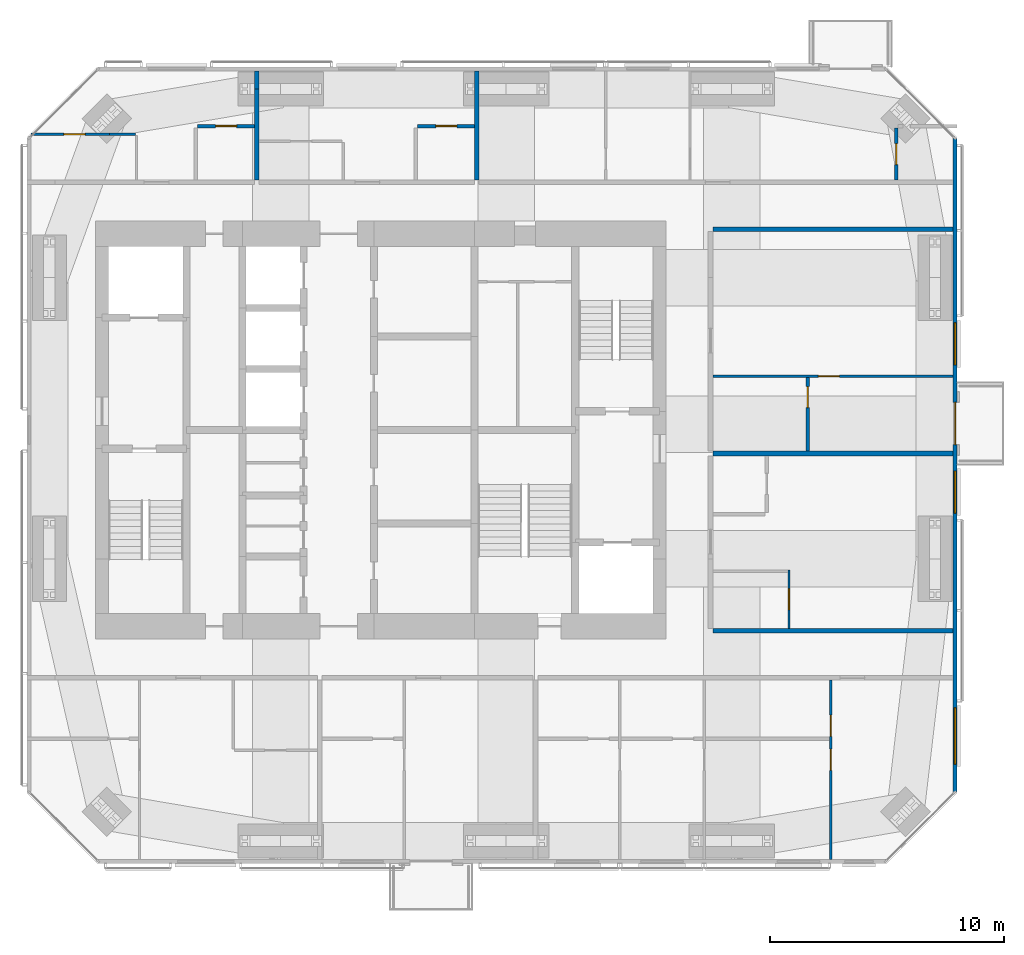
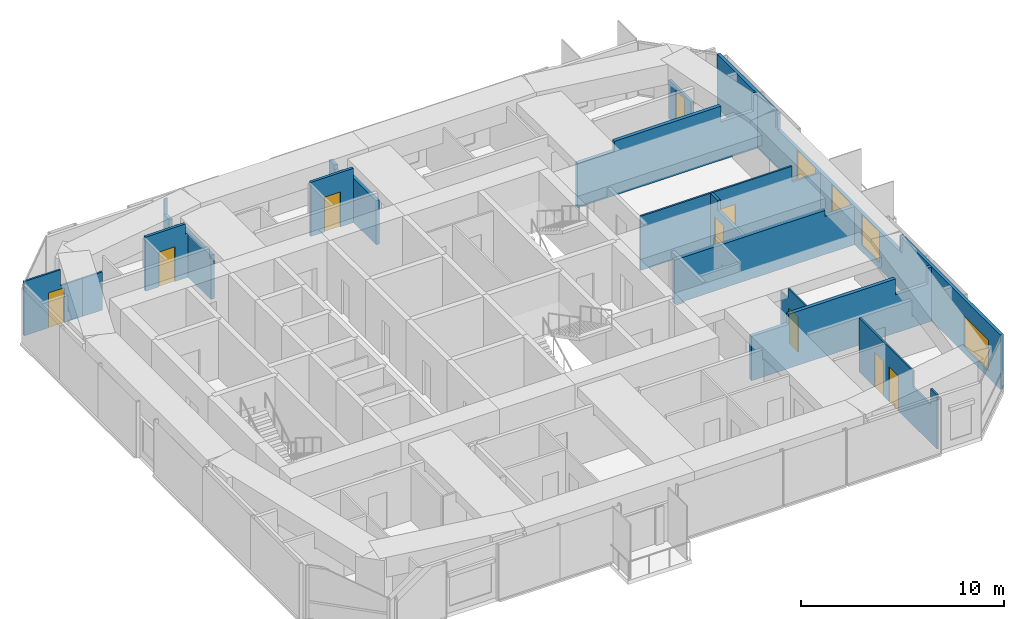
# One storey, part 16 of 18: 16 walls, 10 doors, 3 windows, 13 openings.
"""IFC4 building model written with IfcOpenShell, lengths in metres."""

from ifc_helpers import new_model, si_unit, direction, frame, frame_2d, origin, place, context, subcontext, project, spatial, polyline, rectangle, outline, extrude, material, constituent, constituent_set, type_object, element, fill, save


model = new_model("IFC4")

# Units and contexts
model_context = context("Model", 3, precision=1e-05, world=origin(), true_north=direction((0.0, 1.0)))
body_context = subcontext(model_context, "Body", "Model", "MODEL_VIEW")
ifc_project = project(units=[si_unit("LENGTHUNIT", "METRE"), si_unit("AREAUNIT", "SQUARE_METRE"), si_unit("VOLUMEUNIT", "CUBIC_METRE"), si_unit("PLANEANGLEUNIT", "RADIAN"), si_unit("MASSUNIT", "GRAM", prefix="KILO")], contexts=[model_context])

# Site, building, storey
site_placement = place(None, origin())
site = spatial("IfcSite", under=ifc_project, at=site_placement, CompositionType="ELEMENT")
building_placement = place(site_placement, origin())
building = spatial("IfcBuilding", under=site, at=building_placement, Name="Jalousie Tower", CompositionType="ELEMENT")
storey_placement = place(building_placement, frame((0.0, 0.0, 235.449951171875)))
storey = spatial("IfcBuildingStorey", under=building, at=storey_placement, Name="L64", CompositionType="ELEMENT", Elevation=235.449951171875)

# Wall, opening, door
ifc_material_1 = material(Name="Concrete block ASTM C90", Category="concrete")
ifc_constituent_1 = constituent(ifc_material_1, Name="Body")
ifc_material_2 = material(Name="Render")
ifc_constituent_2 = constituent(ifc_material_2, Name="Finish")
ifc_constituent_set_1 = constituent_set(constituents=[ifc_constituent_1, ifc_constituent_2])
wall_type_1 = type_object("IfcWallType", Name="BATHROOM WALL 150", PredefinedType="PLUMBINGWALL", material=ifc_constituent_set_1)
wall_1_placement = place(storey_placement, frame((24.074951171875, 31.47509765625, 0.0), z_axis=(0.0, 0.0, 1.0), x_axis=(1.0, 0.0, 0.0)))
wall_1 = element("IfcWall", 1, at=wall_1_placement, inside=storey, type_object=wall_type_1, Name="Bathroom Wall 150 L64", PredefinedType="PLUMBINGWALL", context=body_context, shape_type="SweptSolid", body=[
    extrude(outline(polyline([(0.0, 0.0), (2.425048828125, 0.0), (2.425048828125, 3.260009765625), (2.425048828125, 2.66015625), (2.264892578125, 2.66015625), (2.264892578125, 3.260009765625), (0.0, 3.260009765625), (0.0, 0.0)])), frame((0.0, 0.074951171875, 0.0), z_axis=(0.0, -1.0, 0.0), x_axis=(1.0, 0.0, 0.0)), (0.0, 0.0, 1.0), 0.14990234375),
])
opening_1_placement = place(wall_1_placement, frame((0.77490234375, 0.0, 0.0)))
opening_1 = element("IfcOpeningElement", 2, at=opening_1_placement, cuts=wall_1, Name="Opening D3", PredefinedType="OPENING", context=body_context, shape_type="SweptSolid", body=[
    extrude(rectangle(XDim=0.89990234375, YDim=2.10009765625, at=frame_2d((0.449951171875, 1.050048828125))), frame((0.0, 0.0849609375, 0.0), z_axis=(0.0, -1.0, 0.0), x_axis=(1.0, 0.0, 0.0)), (0.0, 0.0, 1.0), 0.169921875),
])
ifc_material_3 = material(Name="Timber door", Category="wood")
door_type_1 = type_object("IfcDoorType", Name="BATHROOM DOOR 900", OperationType="SINGLE_SWING_LEFT", PredefinedType="DOOR", material=ifc_material_3)
door_1_placement = place(opening_1_placement, frame((0.89990234375, 0.0, 0.0), z_axis=(0.0, 0.0, 1.0), x_axis=(-1.0, 0.0, 0.0)))
door_1 = element("IfcDoor", 3, at=door_1_placement, inside=storey, type_object=door_type_1, Name="Apartment 6404 bathroom door", OperationType="SINGLE_SWING_LEFT", OverallHeight=2.10009765625, OverallWidth=0.89990234375, PredefinedType="DOOR", context=body_context, shape_type="SweptSolid", body=[
    extrude(rectangle(XDim=0.89990234375, YDim=2.10009765625, at=frame_2d((0.449951171875, 1.050048828125))), frame((0.0, 0.02490234375, 0.0), z_axis=(0.0, -1.0, 0.0), x_axis=(1.0, 0.0, 0.0)), (0.0, 0.0, 1.0), 0.050048828125),
])
fill(opening_1, door_1)

wall_2_placement = place(storey_placement, frame((33.47509765625, 31.47509765625, 0.0), z_axis=(0.0, 0.0, 1.0), x_axis=(1.0, 0.0, 0.0)))
wall_2 = element("IfcWall", 4, at=wall_2_placement, inside=storey, type_object=wall_type_1, Name="Bathroom Wall 150 L64", PredefinedType="PLUMBINGWALL", context=body_context, shape_type="SweptSolid", body=[
    extrude(rectangle(XDim=2.4248046875, YDim=0.14990234375, at=frame_2d((1.21240234375, 0.0))), origin(), (0.0, 0.0, 1.0), 3.260009765625),
])
opening_2_placement = place(wall_2_placement, frame((0.77490234375, 0.0, 0.0)))
opening_2 = element("IfcOpeningElement", 5, at=opening_2_placement, cuts=wall_2, Name="Opening D3", PredefinedType="OPENING", context=body_context, shape_type="SweptSolid", body=[
    extrude(rectangle(XDim=0.89990234375, YDim=2.10009765625, at=frame_2d((0.449951171875, 1.050048828125))), frame((0.0, 0.0849609375, 0.0), z_axis=(0.0, -1.0, 0.0), x_axis=(1.0, 0.0, 0.0)), (0.0, 0.0, 1.0), 0.169921875),
])
door_2_placement = place(opening_2_placement, frame((0.89990234375, 0.0, 0.0), z_axis=(0.0, 0.0, 1.0), x_axis=(-1.0, 0.0, 0.0)))
door_2 = element("IfcDoor", 6, at=door_2_placement, inside=storey, type_object=door_type_1, Name="Apartment 6405 bathroom door", OperationType="SINGLE_SWING_LEFT", OverallHeight=2.10009765625, OverallWidth=0.89990234375, PredefinedType="DOOR", context=body_context, shape_type="SweptSolid", body=[
    extrude(rectangle(XDim=0.89990234375, YDim=2.10009765625, at=frame_2d((0.449951171875, 1.050048828125))), frame((0.0, 0.02490234375, 0.0), z_axis=(0.0, -1.0, 0.0), x_axis=(1.0, 0.0, 0.0)), (0.0, 0.0, 1.0), 0.050048828125),
])
fill(opening_2, door_2)

wall_3_placement = place(storey_placement, frame((53.89990234375, 31.39990234375, 0.0), z_axis=(0.0, 0.0, 1.0), x_axis=(0.0, -1.0, 0.0)))
wall_3 = element("IfcWall", 7, at=wall_3_placement, inside=storey, type_object=wall_type_1, Name="Bathroom Wall 150 L64", PredefinedType="PLUMBINGWALL", context=body_context, shape_type="SweptSolid", body=[
    extrude(outline(polyline([(0.0, 0.0), (2.224853515625, 0.0), (2.22509765625, 3.260009765625), (2.22509765625, 2.300048828125), (0.43798828125, 2.300048828125), (0.0, 2.300048828125), (0.0, 3.260009765625), (0.0, 0.0)])), frame((0.0, 0.074951171875, 0.0), z_axis=(0.0, -1.0, 0.0), x_axis=(1.0, 0.0, 0.0)), (0.0, 0.0, 1.0), 0.14990234375),
])
opening_3_placement = place(wall_3_placement, frame((0.675048828125, 0.0, 0.0)))
opening_3 = element("IfcOpeningElement", 8, at=opening_3_placement, cuts=wall_3, Name="Opening D3", PredefinedType="OPENING", context=body_context, shape_type="SweptSolid", body=[
    extrude(rectangle(XDim=0.89990234375, YDim=2.10009765625, at=frame_2d((0.449951171875, 1.050048828125))), frame((0.0, 0.0849609375, 0.0), z_axis=(0.0, -1.0, 0.0), x_axis=(1.0, 0.0, 0.0)), (0.0, 0.0, 1.0), 0.169921875),
])
door_3_placement = place(opening_3_placement, origin())
door_3 = element("IfcDoor", 9, at=door_3_placement, inside=storey, type_object=door_type_1, Name="Apartment 6406 bathroom door", OperationType="SINGLE_SWING_RIGHT", OverallHeight=2.10009765625, OverallWidth=0.89990234375, PredefinedType="DOOR", context=body_context, shape_type="SweptSolid", body=[
    extrude(rectangle(XDim=0.89990234375, YDim=2.10009765625, at=frame_2d((0.449951171875, 1.050048828125))), frame((0.0, 0.02490234375, 0.0), z_axis=(0.0, -1.0, 0.0), x_axis=(1.0, 0.0, 0.0)), (0.0, 0.0, 1.0), 0.050048828125),
])
fill(opening_3, door_3)

wall_4_placement = place(storey_placement, frame((50.125, 17.60009765625, 0.0), z_axis=(0.0, 0.0, 1.0), x_axis=(0.0, 1.0, 0.0)))
wall_4 = element("IfcWall", 10, at=wall_4_placement, inside=storey, type_object=wall_type_1, Name="Bathroom Wall 150 L64", PredefinedType="PLUMBINGWALL", context=body_context, shape_type="SweptSolid", body=[
    extrude(outline(polyline([(0.0, 0.0), (3.14990234375, 0.0), (3.14990234375, 3.260009765625), (2.43505859375, 3.260009765625), (2.43505859375, 2.66015625), (0.0, 2.66015625), (0.0, 3.260009765625), (0.0, 0.0)])), frame((0.0, 0.074951171875, 0.0), z_axis=(0.0, -1.0, 0.0), x_axis=(1.0, 0.0, 0.0)), (0.0, 0.0, 1.0), 0.14990234375),
])
opening_4_placement = place(wall_4_placement, frame((1.85009765625, 0.0, 0.0)))
opening_4 = element("IfcOpeningElement", 11, at=opening_4_placement, cuts=wall_4, Name="Opening D3", PredefinedType="OPENING", context=body_context, shape_type="SweptSolid", body=[
    extrude(rectangle(XDim=0.89990234375, YDim=2.10009765625, at=frame_2d((0.449951171875, 1.050048828125))), frame((0.0, 0.0849609375, 0.0), z_axis=(0.0, -1.0, 0.0), x_axis=(1.0, 0.0, 0.0)), (0.0, 0.0, 1.0), 0.169921875),
])
door_4_placement = place(opening_4_placement, origin())
door_4 = element("IfcDoor", 12, at=door_4_placement, inside=storey, type_object=door_type_1, Name="Apartment 6408 bedroom 1 bathroom door", OperationType="SINGLE_SWING_RIGHT", OverallHeight=2.10009765625, OverallWidth=0.89990234375, PredefinedType="DOOR", context=body_context, shape_type="SweptSolid", body=[
    extrude(rectangle(XDim=0.89990234375, YDim=2.10009765625, at=frame_2d((0.449951171875, 1.050048828125))), frame((0.0, 0.02490234375, 0.0), z_axis=(0.0, -1.0, 0.0), x_axis=(1.0, 0.0, 0.0)), (0.0, 0.0, 1.0), 0.050048828125),
])
fill(opening_4, door_4)

# Walls
ifc_material_4 = material(Name="Concrete block ASTM C90", Category="concrete")
ifc_constituent_3 = constituent(ifc_material_4, Name="Body")
ifc_material_5 = material(Name="Render")
ifc_constituent_4 = constituent(ifc_material_5, Name="Finish")
ifc_constituent_set_2 = constituent_set(constituents=[ifc_constituent_3, ifc_constituent_4])
wall_type_2 = type_object("IfcWallType", Name="CORRIDOR WALL 200", PredefinedType="PARTITIONING", material=ifc_constituent_set_2)
wall_5_placement = place(storey_placement, frame((46.074951171875, 9.925048828125, 0.0), z_axis=(0.0, 0.0, 1.0), x_axis=(1.0, 0.0, 0.0)))
element("IfcWall", 13, at=wall_5_placement, inside=storey, type_object=wall_type_2, Name="Corridor Wall 200 L64", PredefinedType="PARTITIONING", context=body_context, shape_type="SweptSolid", body=[
    extrude(outline(polyline([(0.0, 0.0), (10.25, 0.0), (10.25, 3.260009765625), (10.032958984375, 3.260009765625), (10.032958984375, 2.300048828125), (8.20068359375, 2.300048828125), (8.20068359375, 3.260009765625), (2.110107421875, 3.260009765625), (2.110107421875, 2.66015625), (0.0, 2.66015625), (0.0, 3.260009765625), (0.0, 0.0)])), frame((0.0, 0.10009765625, 0.0), z_axis=(0.0, -1.0, 0.0), x_axis=(1.0, 0.0, 0.0)), (0.0, 0.0, 1.0), 0.199951171875),
])
wall_6_placement = place(storey_placement, frame((46.074951171875, 27.074951171875, 0.0), z_axis=(0.0, 0.0, 1.0), x_axis=(1.0, 0.0, 0.0)))
element("IfcWall", 14, at=wall_6_placement, inside=storey, type_object=wall_type_2, Name="Corridor Wall 200 L64", PredefinedType="PARTITIONING", context=body_context, shape_type="SweptSolid", body=[
    extrude(outline(polyline([(0.0, 0.0), (10.25, 0.0), (10.25, 3.260009765625), (10.0166015625, 3.260009765625), (10.0166015625, 2.300048828125), (8.16552734375, 2.300048828125), (8.16552734375, 3.260009765625), (2.110107421875, 3.260009765625), (2.110107421875, 2.66015625), (0.0, 2.66015625), (0.0, 3.260009765625), (0.0, 0.0)])), frame((0.0, 0.10009765625, 0.0), z_axis=(0.0, -1.0, 0.0), x_axis=(1.0, 0.0, 0.0)), (0.0, 0.0, 1.0), 0.199951171875),
])

# Wall, openings, door, windows
ifc_material_6 = material(Name="Concrete f'c 40 MPa", Category="concrete")
ifc_constituent_5 = constituent(ifc_material_6, Name="Body")
ifc_material_7 = material(Name="Render, pastel sky blue")
ifc_constituent_6 = constituent(ifc_material_7, Name="Finish")
ifc_constituent_set_3 = constituent_set(constituents=[ifc_constituent_5, ifc_constituent_6])
wall_type_3 = type_object("IfcWallType", Name="EXTERNAL WALL 175 SKY BLUE RENDER", PredefinedType="SOLIDWALL", material=ifc_constituent_set_3)
wall_7_placement = place(storey_placement, frame((56.41259765625, 3.05126953125, 0.0), z_axis=(0.0, 0.0, 1.0), x_axis=(0.0, 1.0, 0.0)))
wall_7 = element("IfcWall", 15, at=wall_7_placement, inside=storey, type_object=wall_type_3, Name="External Wall 175 Sky Blue Render L64", PredefinedType="SOLIDWALL", context=body_context, shape_type="SweptSolid", body=[
    extrude(outline(polyline([(0.0, 0.0), (27.8974609375, 0.0), (27.8974609375, 3.260009765625), (22.1572265625, 3.260009765625), (22.1572265625, 2.300048828125), (22.092041015625, 2.300048828125), (22.092041015625, 3.260009765625), (21.94873046875, 3.260009765625), (21.94873046875, 2.300048828125), (9.94873046875, 2.300048828125), (9.94873046875, 3.260009765625), (9.8583984375, 3.260009765625), (9.8583984375, 2.300048828125), (9.6875, 2.300048828125), (9.6875, 3.260009765625), (0.0, 3.260009765625), (0.0, 0.0)])), frame((0.0, 0.08740234375, 0.0), z_axis=(0.0, -1.0, 0.0), x_axis=(1.0, 0.0, 0.0)), (0.0, 0.0, 1.0), 0.175048828125),
])
opening_5_placement = place(wall_7_placement, frame((1.18701171875, 0.0, 0.39990234375)))
opening_5 = element("IfcOpeningElement", 16, at=opening_5_placement, cuts=wall_7, Name="Opening W-LIV185", PredefinedType="OPENING", context=body_context, shape_type="SweptSolid", body=[
    extrude(rectangle(XDim=2.39990234375, YDim=1.85009765625, at=frame_2d((1.199951171875, 0.925048828125))), frame((0.0, 0.097412109375, 0.0), z_axis=(0.0, -1.0, 0.0), x_axis=(1.0, 0.0, 0.0)), (0.0, 0.0, 1.0), 0.195068359375),
])
opening_6_placement = place(wall_7_placement, frame((11.897216796875, 0.0, 0.39990234375)))
opening_6 = element("IfcOpeningElement", 17, at=opening_6_placement, cuts=wall_7, Name="Opening W-BED185", PredefinedType="OPENING", context=body_context, shape_type="SweptSolid", body=[
    extrude(rectangle(XDim=1.800048828125, YDim=1.85009765625, at=frame_2d((0.89990234375, 0.925048828125))), frame((0.0, 0.097412109375, 0.0), z_axis=(0.0, -1.0, 0.0), x_axis=(1.0, 0.0, 0.0)), (0.0, 0.0, 1.0), 0.195068359375),
])
opening_7_placement = place(wall_7_placement, frame((14.82373046875, 0.0, 0.0)))
opening_7 = element("IfcOpeningElement", 18, at=opening_7_placement, cuts=wall_7, Name="Opening D-BAL22", PredefinedType="OPENING", context=body_context, shape_type="SweptSolid", body=[
    extrude(rectangle(XDim=1.800048828125, YDim=2.25, at=frame_2d((0.89990234375, 1.125))), frame((0.0, 0.097412109375, 0.0), z_axis=(0.0, -1.0, 0.0), x_axis=(1.0, 0.0, 0.0)), (0.0, 0.0, 1.0), 0.195068359375),
])
opening_8_placement = place(wall_7_placement, frame((18.2236328125, 0.0, 0.39990234375)))
opening_8 = element("IfcOpeningElement", 19, at=opening_8_placement, cuts=wall_7, Name="Opening W-BED185", PredefinedType="OPENING", context=body_context, shape_type="SweptSolid", body=[
    extrude(rectangle(XDim=1.800048828125, YDim=1.85009765625, at=frame_2d((0.89990234375, 0.925048828125))), frame((0.0, 0.097412109375, 0.0), z_axis=(0.0, -1.0, 0.0), x_axis=(1.0, 0.0, 0.0)), (0.0, 0.0, 1.0), 0.195068359375),
])
ifc_material_8 = material(Name="Aluminium frame, impact-rated glazing", Category="aluminium")
door_type_2 = type_object("IfcDoorType", Name="BALCONY DOOR 1800x2250", OperationType="SLIDING_TO_LEFT", PredefinedType="DOOR", material=ifc_material_8)
door_5_placement = place(opening_7_placement, origin())
door_5 = element("IfcDoor", 20, at=door_5_placement, inside=storey, type_object=door_type_2, Name="Apartment 6408 bedroom 1 balcony door", OperationType="SLIDING_TO_LEFT", OverallHeight=2.25, OverallWidth=1.800048828125, PredefinedType="DOOR", context=body_context, shape_type="SweptSolid", body=[
    extrude(rectangle(XDim=1.800048828125, YDim=2.25, at=frame_2d((0.89990234375, 1.125))), frame((0.0, 0.02490234375, 0.0), z_axis=(0.0, -1.0, 0.0), x_axis=(1.0, 0.0, 0.0)), (0.0, 0.0, 1.0), 0.050048828125),
])
fill(opening_7, door_5)
ifc_material_9 = material(Name="Aluminium frame, impact-rated glazing", Category="aluminium")
window_type_1 = type_object("IfcWindowType", Name="WINDOW BED 1800x1850", PartitioningType="SINGLE_PANEL", PredefinedType="WINDOW", material=ifc_material_9)
window_1_placement = place(opening_6_placement, origin())
window_1 = element("IfcWindow", 21, at=window_1_placement, inside=storey, type_object=window_type_1, Name="Apartment 6407 studio living and sleeping room window", OverallHeight=1.85009765625, OverallWidth=1.800048828125, PartitioningType="SINGLE_PANEL", PredefinedType="WINDOW", context=body_context, shape_type="SweptSolid", body=[
    extrude(rectangle(XDim=1.800048828125, YDim=1.85009765625, at=frame_2d((0.89990234375, 0.925048828125))), frame((0.0, 0.030029296875, 0.0), z_axis=(0.0, -1.0, 0.0), x_axis=(1.0, 0.0, 0.0)), (0.0, 0.0, 1.0), 0.06005859375),
])
fill(opening_6, window_1)
window_2_placement = place(opening_8_placement, origin())
window_2 = element("IfcWindow", 22, at=window_2_placement, inside=storey, type_object=window_type_1, Name="Apartment 6408 living, dining and kitchen window", OverallHeight=1.85009765625, OverallWidth=1.800048828125, PartitioningType="SINGLE_PANEL", PredefinedType="WINDOW", context=body_context, shape_type="SweptSolid", body=[
    extrude(rectangle(XDim=1.800048828125, YDim=1.85009765625, at=frame_2d((0.89990234375, 0.925048828125))), frame((0.0, 0.030029296875, 0.0), z_axis=(0.0, -1.0, 0.0), x_axis=(1.0, 0.0, 0.0)), (0.0, 0.0, 1.0), 0.06005859375),
])
fill(opening_8, window_2)
ifc_material_10 = material(Name="Aluminium frame, impact-rated glazing", Category="aluminium")
window_type_2 = type_object("IfcWindowType", Name="WINDOW LIV 2400x1850", PartitioningType="DOUBLE_PANEL_VERTICAL", PredefinedType="WINDOW", material=ifc_material_10)
window_3_placement = place(opening_5_placement, origin())
window_3 = element("IfcWindow", 23, at=window_3_placement, inside=storey, type_object=window_type_2, Name="Apartment 6403 living, dining and kitchen window", OverallHeight=1.85009765625, OverallWidth=2.39990234375, PartitioningType="SINGLE_PANEL", PredefinedType="WINDOW", context=body_context, shape_type="SweptSolid", body=[
    extrude(rectangle(XDim=2.39990234375, YDim=1.85009765625, at=frame_2d((1.199951171875, 0.925048828125))), frame((0.0, 0.030029296875, 0.0), z_axis=(0.0, -1.0, 0.0), x_axis=(1.0, 0.0, 0.0)), (0.0, 0.0, 1.0), 0.06005859375),
])
fill(opening_5, window_3)

# Wall, openings, doors
ifc_material_11 = material(Name="Gypsum board", Category="gypsum")
ifc_constituent_7 = constituent(ifc_material_11, Name="Body")
ifc_material_12 = material(Name="Light-gauge steel studs ASTM A653 SS Grade 33", Category="steel")
ifc_constituent_8 = constituent(ifc_material_12, Name="Framing")
ifc_constituent_set_4 = constituent_set(constituents=[ifc_constituent_7, ifc_constituent_8])
wall_type_4 = type_object("IfcWallType", Name="PARTITION 100", PredefinedType="PARTITIONING", material=ifc_constituent_set_4)
wall_8_placement = place(storey_placement, frame((51.10009765625, 0.175048828125, 0.0), z_axis=(0.0, 0.0, 1.0), x_axis=(0.0, 1.0, 0.0)))
wall_8 = element("IfcWall", 24, at=wall_8_placement, inside=storey, type_object=wall_type_4, Name="Partition 100 L64", PredefinedType="PARTITIONING", context=body_context, shape_type="SweptSolid", body=[
    extrude(outline(polyline([(0.0, 0.0), (7.64990234375, 0.0), (7.64990234375, 3.260009765625), (2.36328125, 3.260009765625), (2.36328125, 2.300048828125), (0.61865234375, 2.300048828125), (0.61865234375, 3.260009765625), (0.0, 3.260009765625), (0.0, 0.0)])), frame((0.0, 0.050048828125, 0.0), z_axis=(0.0, -1.0, 0.0), x_axis=(1.0, 0.0, 0.0)), (0.0, 0.0, 1.0), 0.10009765625),
])
opening_9_placement = place(wall_8_placement, frame((3.800048828125, 0.0, 0.0)))
opening_9 = element("IfcOpeningElement", 25, at=opening_9_placement, cuts=wall_8, Name="Opening D2", PredefinedType="OPENING", context=body_context, shape_type="SweptSolid", body=[
    extrude(rectangle(XDim=0.89990234375, YDim=2.10009765625, at=frame_2d((0.449951171875, 1.050048828125))), frame((0.0, 0.06005859375, 0.0), z_axis=(0.0, -1.0, 0.0), x_axis=(1.0, 0.0, 0.0)), (0.0, 0.0, 1.0), 0.1201171875),
])
opening_10_placement = place(wall_8_placement, frame((5.25, 0.0, 0.0)))
opening_10 = element("IfcOpeningElement", 26, at=opening_10_placement, cuts=wall_8, Name="Opening D7", PredefinedType="OPENING", context=body_context, shape_type="SweptSolid", body=[
    extrude(rectangle(XDim=0.89990234375, YDim=2.10009765625, at=frame_2d((0.449951171875, 1.050048828125))), frame((0.0, 0.06005859375, 0.0), z_axis=(0.0, -1.0, 0.0), x_axis=(1.0, 0.0, 0.0)), (0.0, 0.0, 1.0), 0.1201171875),
])
ifc_material_13 = material(Name="Timber door", Category="wood")
door_type_3 = type_object("IfcDoorType", Name="BEDROOM DOOR 900", OperationType="SINGLE_SWING_LEFT", PredefinedType="DOOR", material=ifc_material_13)
door_6_placement = place(opening_9_placement, origin())
door_6 = element("IfcDoor", 27, at=door_6_placement, inside=storey, type_object=door_type_3, Name="Apartment 6403 bedroom 3 door", OperationType="SINGLE_SWING_RIGHT", OverallHeight=2.10009765625, OverallWidth=0.89990234375, PredefinedType="DOOR", context=body_context, shape_type="SweptSolid", body=[
    extrude(rectangle(XDim=0.89990234375, YDim=2.10009765625, at=frame_2d((0.449951171875, 1.050048828125))), frame((0.0, 0.02490234375, 0.0), z_axis=(0.0, -1.0, 0.0), x_axis=(1.0, 0.0, 0.0)), (0.0, 0.0, 1.0), 0.050048828125),
])
fill(opening_9, door_6)
ifc_material_14 = material(Name="Timber door", Category="wood")
door_type_4 = type_object("IfcDoorType", Name="INTERNAL DOOR 900", OperationType="SINGLE_SWING_LEFT", PredefinedType="DOOR", material=ifc_material_14)
door_7_placement = place(opening_10_placement, origin())
door_7 = element("IfcDoor", 28, at=door_7_placement, inside=storey, type_object=door_type_4, Name="Apartment 6403 bathroom door", OperationType="SINGLE_SWING_LEFT", OverallHeight=2.10009765625, OverallWidth=0.89990234375, PredefinedType="DOOR", context=body_context, shape_type="SweptSolid", body=[
    extrude(rectangle(XDim=0.89990234375, YDim=2.10009765625, at=frame_2d((0.449951171875, 1.050048828125))), frame((0.0, 0.02490234375, 0.0), z_axis=(0.0, -1.0, 0.0), x_axis=(1.0, 0.0, 0.0)), (0.0, 0.0, 1.0), 0.050048828125),
])
fill(opening_10, door_7)

# Wall, opening, door
wall_9_placement = place(storey_placement, frame((16.97509765625, 31.125, 0.0), z_axis=(0.0, 0.0, 1.0), x_axis=(1.0, 0.0, 0.0)))
wall_9 = element("IfcWall", 29, at=wall_9_placement, inside=storey, type_object=wall_type_4, Name="Partition 100 L64-A", PredefinedType="PARTITIONING", context=body_context, shape_type="SweptSolid", body=[
    extrude(outline(polyline([(0.0, 0.0), (3.336669921875, 0.0), (3.3369140625, 2.300048828125), (2.075927734375, 2.300048828125), (2.075927734375, 3.260009765625), (0.0, 3.260009765625), (0.0, 0.0)])), frame((0.0, 0.050048828125, 0.0), z_axis=(0.0, -1.0, 0.0), x_axis=(1.0, 0.0, 0.0)), (0.0, 0.0, 1.0), 0.10009765625),
])
opening_11_placement = place(wall_9_placement, frame((1.39990234375, 0.0, 0.0)))
opening_11 = element("IfcOpeningElement", 30, at=opening_11_placement, cuts=wall_9, Name="Opening D7", PredefinedType="OPENING", context=body_context, shape_type="SweptSolid", body=[
    extrude(rectangle(XDim=0.89990234375, YDim=2.10009765625, at=frame_2d((0.449951171875, 1.050048828125))), frame((0.0, 0.06005859375, 0.0), z_axis=(0.0, -1.0, 0.0), x_axis=(1.0, 0.0, 0.0)), (0.0, 0.0, 1.0), 0.1201171875),
])
door_8_placement = place(opening_11_placement, frame((0.89990234375, 0.0, 0.0), z_axis=(0.0, 0.0, 1.0), x_axis=(-1.0, 0.0, 0.0)))
door_8 = element("IfcDoor", 31, at=door_8_placement, inside=storey, type_object=door_type_4, Name="Apartment 6404 kitchen door", OperationType="SINGLE_SWING_RIGHT", OverallHeight=2.10009765625, OverallWidth=0.89990234375, PredefinedType="DOOR", context=body_context, shape_type="SweptSolid", body=[
    extrude(rectangle(XDim=0.89990234375, YDim=2.10009765625, at=frame_2d((0.449951171875, 1.050048828125))), frame((0.0, 0.02490234375, 0.0), z_axis=(0.0, -1.0, 0.0), x_axis=(1.0, 0.0, 0.0)), (0.0, 0.0, 1.0), 0.050048828125),
])
fill(opening_11, door_8)

# Wall
wall_10_placement = place(storey_placement, frame((20.311767578125, 31.125, 0.0), z_axis=(0.0, 0.0, 1.0), x_axis=(1.0, 0.0, 0.0)))
element("IfcWall", 32, at=wall_10_placement, inside=storey, type_object=wall_type_4, Name="Partition 100 L64-B", PredefinedType="PARTITIONING", context=body_context, shape_type="SweptSolid", body=[
    extrude(rectangle(XDim=1.11328125, YDim=0.10009765625, at=frame_2d((0.556640625, 0.0))), origin(), (0.0, 0.0, 1.0), 2.300048828125),
])

# Wall, opening, door
wall_11_placement = place(storey_placement, frame((56.324951171875, 20.800048828125, 0.0), z_axis=(0.0, 0.0, 1.0), x_axis=(-1.0, 0.0, 0.0)))
wall_11 = element("IfcWall", 33, at=wall_11_placement, inside=storey, type_object=wall_type_4, Name="Partition 100 L64", PredefinedType="PARTITIONING", context=body_context, shape_type="SweptSolid", body=[
    extrude(outline(polyline([(0.0, 0.0), (10.25, 0.0), (10.25, 3.260009765625), (1.635009765625, 3.260009765625), (1.635009765625, 2.300048828125), (0.0, 2.300048828125), (0.0, 3.260009765625), (0.0, 0.0)])), frame((0.0, 0.050048828125, 0.0), z_axis=(0.0, -1.0, 0.0), x_axis=(1.0, 0.0, 0.0)), (0.0, 0.0, 1.0), 0.10009765625),
])
opening_12_placement = place(wall_11_placement, frame((4.85009765625, 0.0, 0.0)))
opening_12 = element("IfcOpeningElement", 34, at=opening_12_placement, cuts=wall_11, Name="Opening D2", PredefinedType="OPENING", context=body_context, shape_type="SweptSolid", body=[
    extrude(rectangle(XDim=0.89990234375, YDim=2.10009765625, at=frame_2d((0.449951171875, 1.050048828125))), frame((0.0, 0.06005859375, 0.0), z_axis=(0.0, -1.0, 0.0), x_axis=(1.0, 0.0, 0.0)), (0.0, 0.0, 1.0), 0.1201171875),
])
door_9_placement = place(opening_12_placement, origin())
door_9 = element("IfcDoor", 35, at=door_9_placement, inside=storey, type_object=door_type_3, Name="Apartment 6408 bedroom 1 door", OperationType="SINGLE_SWING_RIGHT", OverallHeight=2.10009765625, OverallWidth=0.89990234375, PredefinedType="DOOR", context=body_context, shape_type="SweptSolid", body=[
    extrude(rectangle(XDim=0.89990234375, YDim=2.10009765625, at=frame_2d((0.449951171875, 1.050048828125))), frame((0.0, 0.02490234375, 0.0), z_axis=(0.0, -1.0, 0.0), x_axis=(1.0, 0.0, 0.0)), (0.0, 0.0, 1.0), 0.050048828125),
])
fill(opening_12, door_9)

wall_12_placement = place(storey_placement, frame((49.324951171875, 10.02490234375, 0.0), z_axis=(0.0, 0.0, 1.0), x_axis=(0.0, 1.0, 0.0)))
wall_12 = element("IfcWall", 36, at=wall_12_placement, inside=storey, type_object=wall_type_4, Name="Partition 100 L64", PredefinedType="PARTITIONING", context=body_context, shape_type="SweptSolid", body=[
    extrude(outline(polyline([(0.0, 0.0), (2.5, 0.0), (2.5, 3.260009765625), (2.5, 2.66015625), (1.715087890625, 2.66015625), (1.715087890625, 3.260009765625), (0.0, 3.260009765625), (0.0, 0.0)])), frame((0.0, 0.050048828125, 0.0), z_axis=(0.0, -1.0, 0.0), x_axis=(1.0, 0.0, 0.0)), (0.0, 0.0, 1.0), 0.10009765625),
])
opening_13_placement = place(wall_12_placement, frame((0.800048828125, 0.0, 0.0)))
opening_13 = element("IfcOpeningElement", 37, at=opening_13_placement, cuts=wall_12, Name="Opening D7", PredefinedType="OPENING", context=body_context, shape_type="SweptSolid", body=[
    extrude(rectangle(XDim=0.89990234375, YDim=2.10009765625, at=frame_2d((0.449951171875, 1.050048828125))), frame((0.0, 0.06005859375, 0.0), z_axis=(0.0, -1.0, 0.0), x_axis=(1.0, 0.0, 0.0)), (0.0, 0.0, 1.0), 0.1201171875),
])
door_10_placement = place(opening_13_placement, origin())
door_10 = element("IfcDoor", 38, at=door_10_placement, inside=storey, type_object=door_type_4, Name="Apartment 6407 kitchen door", OperationType="SINGLE_SWING_RIGHT", OverallHeight=2.10009765625, OverallWidth=0.89990234375, PredefinedType="DOOR", context=body_context, shape_type="SweptSolid", body=[
    extrude(rectangle(XDim=0.89990234375, YDim=2.10009765625, at=frame_2d((0.449951171875, 1.050048828125))), frame((0.0, 0.02490234375, 0.0), z_axis=(0.0, -1.0, 0.0), x_axis=(1.0, 0.0, 0.0)), (0.0, 0.0, 1.0), 0.050048828125),
])
fill(opening_13, door_10)

# Walls
ifc_material_15 = material(Name="Concrete block ASTM C90", Category="concrete")
ifc_constituent_9 = constituent(ifc_material_15, Name="Body")
ifc_material_16 = material(Name="Render")
ifc_constituent_10 = constituent(ifc_material_16, Name="Finish")
ifc_constituent_set_5 = constituent_set(constituents=[ifc_constituent_9, ifc_constituent_10])
wall_type_5 = type_object("IfcWallType", Name="PARTY WALL 200", PredefinedType="PARTITIONING", material=ifc_constituent_set_5)
wall_13_placement = place(storey_placement, frame((26.60009765625, 33.824951171875, 0.0), z_axis=(0.0, 0.0, 1.0), x_axis=(0.0, -1.0, 0.0)))
element("IfcWall", 39, at=wall_13_placement, inside=storey, type_object=wall_type_5, Name="Party Wall 200 L64-A", PredefinedType="PARTITIONING", context=body_context, shape_type="SweptSolid", body=[
    extrude(outline(polyline([(0.025634765625, 2.300048828125), (0.025634765625, 3.260009765625), (0.0, 3.260009765625), (0.0, 0.0), (0.52880859375, 0.0), (0.52880859375, 0.539306640625), (0.77490234375, 0.539306640625), (0.77490234375, 1.7607421875), (0.52880859375, 1.7607421875), (0.52880859375, 2.300048828125), (0.025634765625, 2.300048828125)])), frame((0.0, 0.10009765625, 0.0), z_axis=(0.0, -1.0, 0.0), x_axis=(1.0, 0.0, 0.0)), (0.0, 0.0, 1.0), 0.199951171875),
])
wall_14_placement = place(storey_placement, frame((26.60009765625, 33.050048828125, 0.0), z_axis=(0.0, 0.0, 1.0), x_axis=(0.0, -1.0, 0.0)))
element("IfcWall", 40, at=wall_14_placement, inside=storey, type_object=wall_type_5, Name="Party Wall 200 L64-B", PredefinedType="PARTITIONING", context=body_context, shape_type="SweptSolid", body=[
    extrude(outline(polyline([(0.24609375, 2.300048828125), (0.24609375, 1.7607421875), (0.0, 1.7607421875), (0.0, 0.539306640625), (0.24609375, 0.539306640625), (0.24609375, 0.0), (3.875, 0.0), (3.875, 2.66015625), (1.0966796875, 2.66015625), (1.0966796875, 2.300048828125), (0.24609375, 2.300048828125)])), frame((0.0, 0.10009765625, 0.0), z_axis=(0.0, -1.0, 0.0), x_axis=(1.0, 0.0, 0.0)), (0.0, 0.0, 1.0), 0.199951171875),
])
wall_15_placement = place(storey_placement, frame((36.0, 33.824951171875, 0.0), z_axis=(0.0, 0.0, 1.0), x_axis=(0.0, -1.0, 0.0)))
element("IfcWall", 41, at=wall_15_placement, inside=storey, type_object=wall_type_5, Name="Party Wall 200 L64", PredefinedType="PARTITIONING", context=body_context, shape_type="SweptSolid", body=[
    extrude(outline(polyline([(0.52880859375, 2.300048828125), (0.0, 2.300048828125), (0.0, 0.0), (0.52880859375, 0.0), (0.52880859375, 0.28125), (1.021240234375, 0.28125), (1.021240234375, 0.0), (4.64990234375, 0.0), (4.64990234375, 2.66015625), (1.68505859375, 2.66015625), (1.68505859375, 2.300048828125), (1.021240234375, 2.300048828125), (1.021240234375, 2.01904296875), (0.52880859375, 2.01904296875), (0.52880859375, 2.300048828125)])), frame((0.0, 0.10009765625, 0.0), z_axis=(0.0, -1.0, 0.0), x_axis=(1.0, 0.0, 0.0)), (0.0, 0.0, 1.0), 0.199951171875),
])
wall_16_placement = place(storey_placement, frame((56.324951171875, 17.5, 0.0), z_axis=(0.0, 0.0, 1.0), x_axis=(-1.0, 0.0, 0.0)))
element("IfcWall", 42, at=wall_16_placement, inside=storey, type_object=wall_type_5, Name="Party Wall 200 L64", PredefinedType="PARTITIONING", context=body_context, shape_type="SweptSolid", body=[
    extrude(outline(polyline([(0.0, 0.0), (10.25, 0.0), (10.25, 3.260009765625), (10.25, 2.66015625), (1.68505859375, 2.66015625), (1.68505859375, 2.300048828125), (0.0, 2.300048828125), (0.0, 3.260009765625), (0.0, 0.0)])), frame((0.0, 0.10009765625, 0.0), z_axis=(0.0, -1.0, 0.0), x_axis=(1.0, 0.0, 0.0)), (0.0, 0.0, 1.0), 0.199951171875),
])

save(model, "model.ifc")
